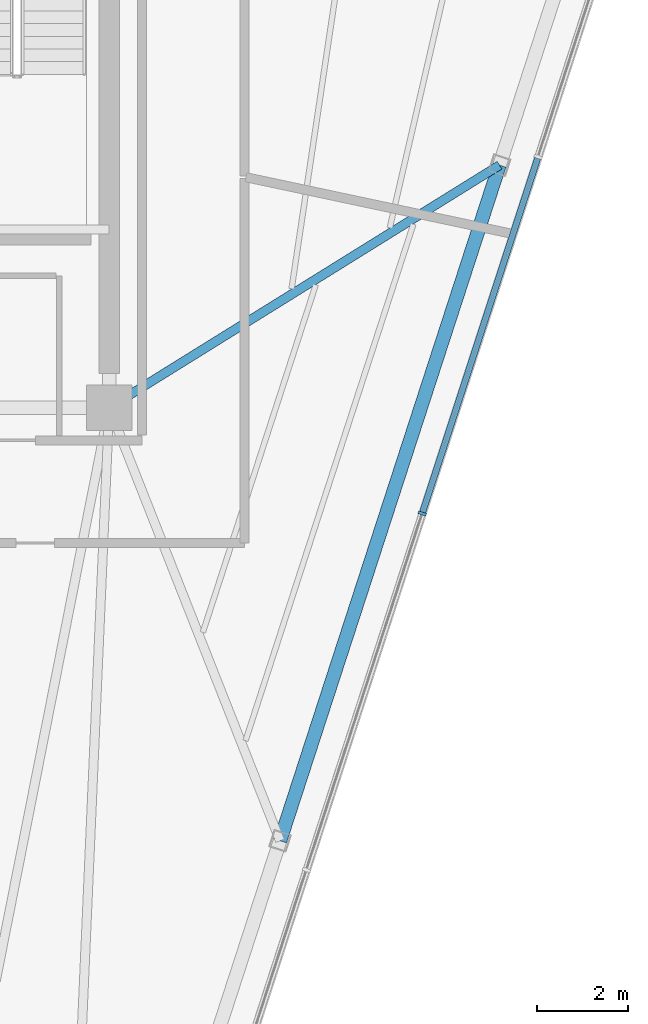
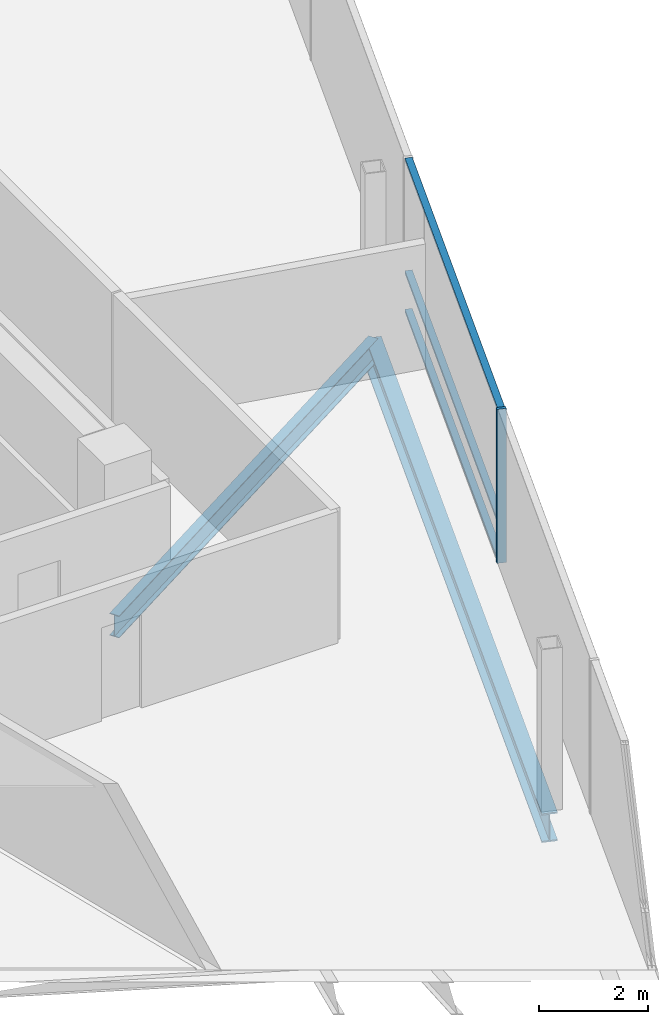
# One storey, part 5 of 15: 4 members, 2 beams, 1 element without a shape of its own.
"""IFC4 building model written with IfcOpenShell, lengths in metres."""

from ifc_helpers import new_model, si_unit, direction, frame, origin, origin_2d, place, context, subcontext, project, spatial, rectangle, i_section, extrude, material, layer, layer_set, material_profile, profile_set, type_object, element, aggregate, save


model = new_model("IFC4")

# Units and contexts
model_context = context("Model", 3, precision=1e-05, world=origin(), true_north=direction((0.0, 1.0)))
body_context = subcontext(model_context, "Body", "Model", "MODEL_VIEW")
ifc_project = project(units=[si_unit("LENGTHUNIT", "METRE"), si_unit("AREAUNIT", "SQUARE_METRE"), si_unit("VOLUMEUNIT", "CUBIC_METRE"), si_unit("PLANEANGLEUNIT", "RADIAN"), si_unit("MASSUNIT", "GRAM", prefix="KILO")], contexts=[model_context])

# Site, building, storey
site_placement = place(None, origin())
site = spatial("IfcSite", under=ifc_project, at=site_placement, CompositionType="ELEMENT")
building_placement = place(site_placement, origin())
building = spatial("IfcBuilding", under=site, at=building_placement, Name="Tharavind Bronze Gate", CompositionType="ELEMENT")
storey_placement = place(building_placement, frame((0.0, 0.0, 283.39990234375)))
storey = spatial("IfcBuildingStorey", under=building, at=storey_placement, Name="L73", CompositionType="ELEMENT", Elevation=283.39990234375)

# Curtain wall, members
ifc_material_1 = material(Name="Anodised Bronze Aluminium", Category="aluminium")
ifc_layer = layer(ifc_material_1, 0.219970703125)
ifc_layer_set = layer_set([ifc_layer], Name="Anodised Bronze Aluminium")
curtain_wall_type = type_object("IfcCurtainWallType", Name="UNITISED CURTAIN WALL CROWN", PredefinedType="USERDEFINED", material=ifc_layer_set)
curtain_wall_placement = place(storey_placement, origin())
curtain_wall = element("IfcCurtainWall", 1, at=curtain_wall_placement, inside=storey, type_object=curtain_wall_type, Name="L73 unitised curtain wall crown CW-L73-S2", ObjectType="UNITISED CURTAIN WALL", PredefinedType="USERDEFINED")
member_type_1 = type_object("IfcMemberType", Name="CURTAIN WALL BRONZE MULLION 65X180", PredefinedType="MULLION", material=ifc_material_1)
member_1_placement = place(storey_placement, frame((15.78759765625, -9.9296875, 0.0), z_axis=(0.0, 0.0, 1.0), x_axis=(0.309016994375, 0.951056516295, 0.0)))
member_1 = element("IfcMember", 2, at=member_1_placement, type_object=member_type_1, Name="CW-L73-S2 mullion 4", PredefinedType="MULLION", context=body_context, shape_type="SweptSolid", body=[
    extrude(rectangle(XDim=0.06494140625, YDim=0.179931640625, at=origin_2d()), origin(), (0.0, 0.0, 1.0), 3.465087890625),
])
member_type_2 = type_object("IfcMemberType", Name="CURTAIN WALL BRONZE TRANSOM 65X140", PredefinedType="USERDEFINED", material=ifc_material_1)
member_2_placement = place(storey_placement, frame((17.06201171875, -6.007568359375, 0.000244140625), z_axis=(0.0, 0.0, 1.0), x_axis=(0.309016994375, 0.951056516295, 0.0)))
member_2 = element("IfcMember", 3, at=member_2_placement, type_object=member_type_2, Name="CW-L73-S2 transom TB4", ObjectType="TRANSOM", PredefinedType="USERDEFINED", context=body_context, shape_type="SweptSolid", body=[
    extrude(rectangle(XDim=8.195068359375, YDim=0.139892578125, at=origin_2d()), origin(), (0.0, 0.0, 1.0), 0.06494140625),
])
member_3_placement = place(storey_placement, frame((17.06201171875, -6.007568359375, 0.86767578125), z_axis=(0.0, 0.0, 1.0), x_axis=(0.309016994375, 0.951056516295, 0.0)))
member_3 = element("IfcMember", 4, at=member_3_placement, type_object=member_type_2, Name="CW-L73-S2 transom TS4", ObjectType="TRANSOM", PredefinedType="USERDEFINED", context=body_context, shape_type="SweptSolid", body=[
    extrude(rectangle(XDim=8.195068359375, YDim=0.139892578125, at=origin_2d()), origin(), (0.0, 0.0, 1.0), 0.06494140625),
])
member_4_placement = place(storey_placement, frame((17.06201171875, -6.007568359375, 3.400146484375), z_axis=(0.0, 0.0, 1.0), x_axis=(0.309016994375, 0.951056516295, 0.0)))
member_4 = element("IfcMember", 5, at=member_4_placement, type_object=member_type_2, Name="CW-L73-S2 transom TT4", ObjectType="TRANSOM", PredefinedType="USERDEFINED", context=body_context, shape_type="SweptSolid", body=[
    extrude(rectangle(XDim=8.195068359375, YDim=0.139892578125, at=origin_2d()), origin(), (0.0, 0.0, 1.0), 0.06494140625),
])
aggregate(curtain_wall, [member_1, member_2, member_3, member_4])

# Beams
ifc_material_2 = material(Name="Steel S355", Category="steel")
ifc_material_profile_1 = material_profile(ifc_material_2, i_section(OverallWidth=0.300048828125, OverallDepth=0.64990234375, WebThickness=0.01611328125, FlangeThickness=0.031005859375, at=origin_2d()), Name="HE650B")
ifc_profile_set_1 = profile_set([ifc_material_profile_1], Name="Steel S355")
beam_type_1 = type_object("IfcBeamType", Name="PRIMARY GIRDER HE650B", PredefinedType="USERDEFINED", material=ifc_profile_set_1)
beam_1_placement = place(storey_placement, frame((12.6591796875, -17.130615234375, -0.510009765625), z_axis=(0.30902108499, 0.951055187164, 0.0), x_axis=(-0.951055187164, 0.30902108499, 0.0)))
element("IfcBeam", 6, at=beam_1_placement, inside=storey, type_object=beam_type_1, Name="L73 primary girder he650b BM-L73-PRG06", ObjectType="GIRDER", PredefinedType="USERDEFINED", context=body_context, shape_type="SweptSolid", body=[
    extrude(i_section(OverallWidth=0.300048828125, OverallDepth=0.64990234375, WebThickness=0.01611328125, FlangeThickness=0.031005859375, at=origin_2d()), origin(), (0.0, 0.0, 1.0), 15.63037109375),
])
ifc_material_profile_2 = material_profile(ifc_material_2, i_section(OverallWidth=0.199951171875, OverallDepth=0.5, WebThickness=0.01025390625, FlangeThickness=0.01611328125, at=origin_2d()), Name="IPE500")
ifc_profile_set_2 = profile_set([ifc_material_profile_2], Name="Steel S355")
beam_type_2 = type_object("IfcBeamType", Name="PRIMARY GIRDER IPE500", PredefinedType="USERDEFINED", material=ifc_profile_set_2)
beam_2_placement = place(storey_placement, frame((17.4892578125, -2.265380859375, -0.434814453125), z_axis=(-0.849489786576, -0.527605063, 0.0), x_axis=(0.527605063, -0.849489786576, 0.0)))
element("IfcBeam", 7, at=beam_2_placement, inside=storey, type_object=beam_type_2, Name="L73 primary girder ipe500 BM-L73-RAD07", ObjectType="GIRDER", PredefinedType="USERDEFINED", context=body_context, shape_type="SweptSolid", body=[
    extrude(i_section(OverallWidth=0.199951171875, OverallDepth=0.5, WebThickness=0.01025390625, FlangeThickness=0.01611328125, at=origin_2d()), origin(), (0.0, 0.0, 1.0), 10.111083984375),
])

save(model, "model.ifc")
